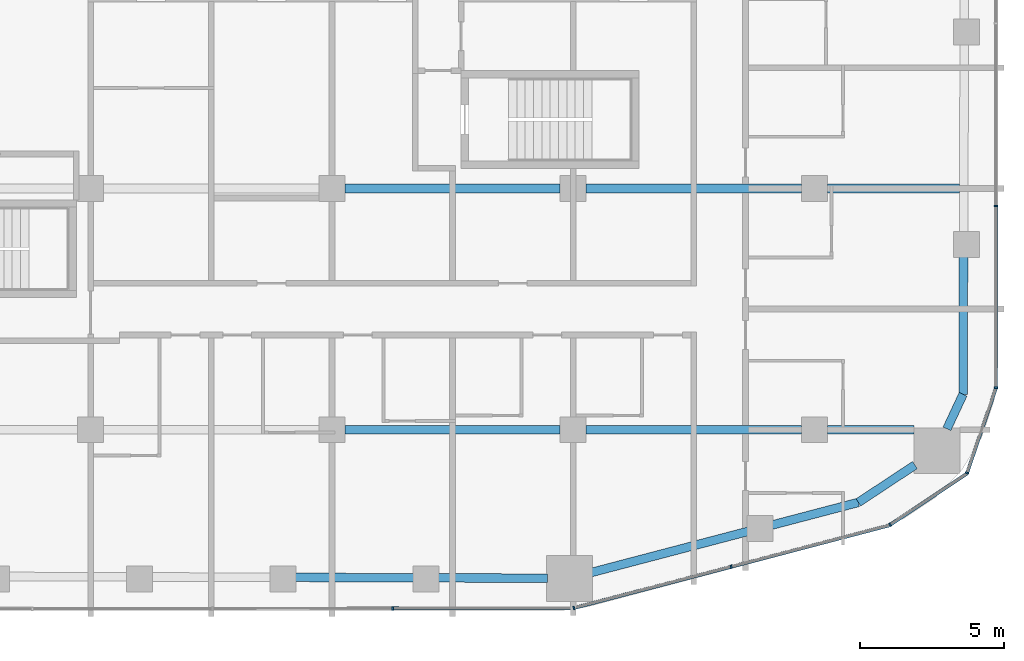
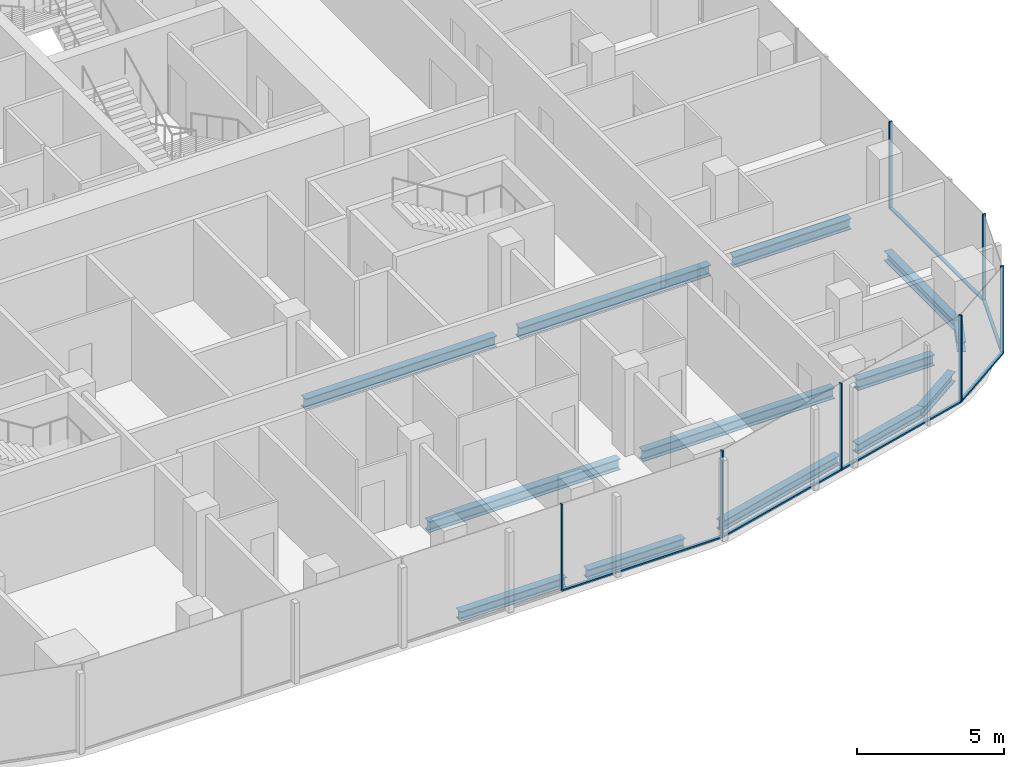
# One storey, part 6 of 23: 13 beams, 13 members, 5 elements without a shape of their own.
"""IFC4 building model written with IfcOpenShell, lengths in metres."""

from ifc_helpers import new_model, si_unit, direction, frame, origin, origin_2d, place, context, subcontext, project, spatial, rectangle, i_section, extrude, material, layer, layer_set, material_profile, profile_set, type_object, element, aggregate, save


model = new_model("IFC4")

# Units and contexts
model_context = context("Model", 3, precision=1e-05, world=origin(), true_north=direction((0.0, 1.0)))
body_context = subcontext(model_context, "Body", "Model", "MODEL_VIEW")
ifc_project = project(units=[si_unit("LENGTHUNIT", "METRE"), si_unit("AREAUNIT", "SQUARE_METRE"), si_unit("VOLUMEUNIT", "CUBIC_METRE"), si_unit("PLANEANGLEUNIT", "RADIAN"), si_unit("MASSUNIT", "GRAM", prefix="KILO")], contexts=[model_context])

# Site, building, storey
site_placement = place(None, origin())
site = spatial("IfcSite", under=ifc_project, at=site_placement, CompositionType="ELEMENT")
building_placement = place(site_placement, origin())
building = spatial("IfcBuilding", under=site, at=building_placement, Name="Marenta Gate Hotel Tower", CompositionType="ELEMENT")
storey_placement = place(building_placement, frame((0.0, 0.0, 140.89990234375)))
storey = spatial("IfcBuildingStorey", under=building, at=storey_placement, Name="L32", CompositionType="ELEMENT", Elevation=140.89990234375)

# Beams
ifc_material_1 = material(Name="Steel S355", Category="steel")
ifc_material_profile_1 = material_profile(ifc_material_1, i_section(OverallWidth=0.300048828125, OverallDepth=0.39990234375, WebThickness=0.013427734375, FlangeThickness=0.02392578125, FilletRadius=0.027099609375, at=origin_2d()), Name="HEB 400")
ifc_profile_set_1 = profile_set([ifc_material_profile_1], Name="Steel S355")
beam_type_1 = type_object("IfcBeamType", Name="Edge beam HEB 400", PredefinedType="SPANDREL", material=ifc_profile_set_1)
beam_1_placement = place(storey_placement, frame((26.191162109375, -10.761962890625, -0.4599609375), z_axis=(-0.003353298899, -0.999994377677, 0.0), x_axis=(0.999994377677, -0.003353298899, 0.0)))
element("IfcBeam", 1, at=beam_1_placement, inside=storey, type_object=beam_type_1, Name="L32-EB-27", PredefinedType="SPANDREL", context=body_context, shape_type="SweptSolid", body=[
    extrude(i_section(OverallWidth=0.300048828125, OverallDepth=0.39990234375, WebThickness=0.013427734375, FlangeThickness=0.02392578125, FilletRadius=0.027099609375, at=origin_2d()), origin(), (0.0, 0.0, 1.0), 4.80517578125),
])
beam_2_placement = place(storey_placement, frame((26.175048828125, -15.567138671875, -0.4599609375), z_axis=(-0.423207780269, -0.906032656541, 0.0), x_axis=(0.906032656541, -0.423207780269, 0.0)))
element("IfcBeam", 2, at=beam_2_placement, inside=storey, type_object=beam_type_1, Name="L32-EB-28", PredefinedType="SPANDREL", context=body_context, shape_type="SweptSolid", body=[
    extrude(i_section(OverallWidth=0.300048828125, OverallDepth=0.39990234375, WebThickness=0.013427734375, FlangeThickness=0.02392578125, FilletRadius=0.027099609375, at=origin_2d()), origin(), (0.0, 0.0, 1.0), 1.326904296875),
])
beam_3_placement = place(storey_placement, frame((24.496337890625, -18.0322265625, -0.4599609375), z_axis=(-0.834496060599, -0.551013906217, 0.0), x_axis=(0.551013906217, -0.834496060599, 0.0)))
element("IfcBeam", 3, at=beam_3_placement, inside=storey, type_object=beam_type_1, Name="L32-EB-29", PredefinedType="SPANDREL", context=body_context, shape_type="SweptSolid", body=[
    extrude(i_section(OverallWidth=0.300048828125, OverallDepth=0.39990234375, WebThickness=0.013427734375, FlangeThickness=0.02392578125, FilletRadius=0.027099609375, at=origin_2d()), origin(), (0.0, 0.0, 1.0), 2.357177734375),
])
beam_4_placement = place(storey_placement, frame((22.529296875, -19.3310546875, -0.4599609375), z_axis=(-0.967224706208, -0.25392197168, 0.0), x_axis=(0.25392197168, -0.967224706208, 0.0)))
element("IfcBeam", 4, at=beam_4_placement, inside=storey, type_object=beam_type_1, Name="L32-EB-30", PredefinedType="SPANDREL", context=body_context, shape_type="SweptSolid", body=[
    extrude(i_section(OverallWidth=0.300048828125, OverallDepth=0.39990234375, WebThickness=0.013427734375, FlangeThickness=0.02392578125, FilletRadius=0.027099609375, at=origin_2d()), origin(), (0.0, 0.0, 1.0), 3.11328125),
])
beam_5_placement = place(storey_placement, frame((18.695556640625, -20.33740234375, -0.4599609375), z_axis=(-0.96723321901, -0.253889542999, 0.0), x_axis=(0.253889542999, -0.96723321901, 0.0)))
element("IfcBeam", 5, at=beam_5_placement, inside=storey, type_object=beam_type_1, Name="L32-EB-31", PredefinedType="SPANDREL", context=body_context, shape_type="SweptSolid", body=[
    extrude(i_section(OverallWidth=0.300048828125, OverallDepth=0.39990234375, WebThickness=0.013427734375, FlangeThickness=0.02392578125, FilletRadius=0.027099609375, at=origin_2d()), origin(), (0.0, 0.0, 1.0), 5.6533203125),
])
beam_6_placement = place(storey_placement, frame((11.706298828125, -21.97021484375, -0.4599609375), z_axis=(-0.999994883969, 0.003198755307, 0.0), x_axis=(-0.003198755307, -0.999994883969, 0.0)))
element("IfcBeam", 6, at=beam_6_placement, inside=storey, type_object=beam_type_1, Name="L32-EB-32", PredefinedType="SPANDREL", context=body_context, shape_type="SweptSolid", body=[
    extrude(i_section(OverallWidth=0.300048828125, OverallDepth=0.39990234375, WebThickness=0.013427734375, FlangeThickness=0.02392578125, FilletRadius=0.027099609375, at=origin_2d()), origin(), (0.0, 0.0, 1.0), 3.816162109375),
])
beam_7_placement = place(storey_placement, frame((7.070068359375, -21.955322265625, -0.4599609375), z_axis=(-0.999994807487, 0.003222576575, 0.0), x_axis=(-0.003222576575, -0.999994807487, 0.0)))
element("IfcBeam", 7, at=beam_7_placement, inside=storey, type_object=beam_type_1, Name="L32-EB-33", PredefinedType="SPANDREL", context=body_context, shape_type="SweptSolid", body=[
    extrude(i_section(OverallWidth=0.300048828125, OverallDepth=0.39990234375, WebThickness=0.013427734375, FlangeThickness=0.02392578125, FilletRadius=0.027099609375, at=origin_2d()), origin(), (0.0, 0.0, 1.0), 4.166748046875),
])
ifc_material_2 = material(Name="Steel S355", Category="steel")
ifc_material_profile_2 = material_profile(ifc_material_2, i_section(OverallWidth=0.300048828125, OverallDepth=0.449951171875, WebThickness=0.013916015625, FlangeThickness=0.02587890625, FilletRadius=0.027099609375, at=origin_2d()), Name="HEB 450")
ifc_profile_set_2 = profile_set([ifc_material_profile_2], Name="Steel S355")
beam_type_2 = type_object("IfcBeamType", Name="Girder HEB 450", PredefinedType="BEAM", material=ifc_profile_set_2)
for number, where, z_axis, x_axis, name in (
    (8, (4.64990234375, -16.800048828125, -0.48486328125), (1.0, 0.0, 0.0), (0.0, 1.0, 0.0), "L32-GD-5"),
    (9, (13.050048828125, -16.800048828125, -0.48486328125), (1.0, 0.0, 0.0), (0.0, 1.0, 0.0), "L32-GD-6"),
):
    element("IfcBeam", number, at=place(storey_placement, frame(where, z_axis=z_axis, x_axis=x_axis)), inside=storey, type_object=beam_type_2, Name=name, PredefinedType="BEAM", context=body_context, shape_type="SweptSolid", body=[
        extrude(i_section(OverallWidth=0.300048828125, OverallDepth=0.449951171875, WebThickness=0.013916015625, FlangeThickness=0.02587890625, FilletRadius=0.027099609375, at=origin_2d()), origin(), (0.0, 0.0, 1.0), 7.5),
    ])
beam_8_placement = place(storey_placement, frame((21.449951171875, -16.800048828125, -0.48486328125), z_axis=(1.0, 0.0, 0.0), x_axis=(0.0, 1.0, 0.0)))
element("IfcBeam", 10, at=beam_8_placement, inside=storey, type_object=beam_type_2, Name="L32-GD-7", PredefinedType="BEAM", context=body_context, shape_type="SweptSolid", body=[
    extrude(i_section(OverallWidth=0.300048828125, OverallDepth=0.449951171875, WebThickness=0.013916015625, FlangeThickness=0.02587890625, FilletRadius=0.027099609375, at=origin_2d()), origin(), (0.0, 0.0, 1.0), 3.012939453125),
])
for number, where, z_axis, x_axis, name in (
    (11, (4.64990234375, -8.39990234375, -0.48486328125), (1.0, 0.0, 0.0), (0.0, 1.0, 0.0), "L32-GD-12"),
    (12, (13.050048828125, -8.39990234375, -0.48486328125), (1.0, 0.0, 0.0), (0.0, 1.0, 0.0), "L32-GD-13"),
):
    element("IfcBeam", number, at=place(storey_placement, frame(where, z_axis=z_axis, x_axis=x_axis)), inside=storey, type_object=beam_type_2, Name=name, PredefinedType="BEAM", context=body_context, shape_type="SweptSolid", body=[
        extrude(i_section(OverallWidth=0.300048828125, OverallDepth=0.449951171875, WebThickness=0.013916015625, FlangeThickness=0.02587890625, FilletRadius=0.027099609375, at=origin_2d()), origin(), (0.0, 0.0, 1.0), 7.5),
    ])
beam_9_placement = place(storey_placement, frame((21.449951171875, -8.39990234375, -0.48486328125), z_axis=(1.0, 0.0, 0.0), x_axis=(0.0, 1.0, 0.0)))
element("IfcBeam", 13, at=beam_9_placement, inside=storey, type_object=beam_type_2, Name="L32-GD-14", PredefinedType="BEAM", context=body_context, shape_type="SweptSolid", body=[
    extrude(i_section(OverallWidth=0.300048828125, OverallDepth=0.449951171875, WebThickness=0.013916015625, FlangeThickness=0.02587890625, FilletRadius=0.027099609375, at=origin_2d()), origin(), (0.0, 0.0, 1.0), 4.59912109375),
])

# Curtain wall, member
ifc_material_3 = material(Name="Tinted insulated glass in bronze anodised frame", Category="glass")
ifc_layer = layer(ifc_material_3, 0.1201171875)
ifc_layer_set = layer_set([ifc_layer], Name="Tinted insulated glass in bronze anodised frame")
curtain_wall_type = type_object("IfcCurtainWallType", Name="Tower unitised curtain wall CW1", PredefinedType="NOTDEFINED", material=ifc_layer_set)
curtain_wall_1_placement = place(storey_placement, origin())
curtain_wall_1 = element("IfcCurtainWall", 14, at=curtain_wall_1_placement, inside=storey, type_object=curtain_wall_type, Name="CW1 run G07", PredefinedType="NOTDEFINED")
ifc_material_4 = material(Name="Bronze anodised aluminium", Category="aluminium")
ifc_material_profile_3 = material_profile(ifc_material_4, rectangle(XDim=0.1201171875, YDim=0.06005859375, at=origin_2d()), Name="Mullion CW1 60x120 bronze anodised aluminium")
ifc_profile_set_3 = profile_set([ifc_material_profile_3], Name="Bronze anodised aluminium")
member_type_1 = type_object("IfcMemberType", Name="Mullion CW1 60x120 bronze anodised aluminium", PredefinedType="MULLION", material=ifc_profile_set_3)
member_1_placement = place(storey_placement, frame((6.32177734375, -23.021728515625, 0.0), z_axis=(0.0, 0.0, 1.0), x_axis=(-0.001362347707, 0.999999072004, 0.0)))
member_1 = element("IfcMember", 15, at=member_1_placement, type_object=member_type_1, Name="CW1 mullion 4", PredefinedType="MULLION", context=body_context, shape_type="SweptSolid", body=[
    extrude(rectangle(XDim=0.1201171875, YDim=0.06005859375, at=origin_2d()), origin(), (0.0, 0.0, 1.0), 3.60009765625),
])

# Curtain wall, members
curtain_wall_2_placement = place(storey_placement, origin())
curtain_wall_2 = element("IfcCurtainWall", 16, at=curtain_wall_2_placement, inside=storey, type_object=curtain_wall_type, Name="CW1 run G08", PredefinedType="NOTDEFINED")
member_2_placement = place(storey_placement, frame((12.626708984375, -23.005615234375, 0.0), z_axis=(0.0, 0.0, 1.0), x_axis=(-0.253374270473, 0.967368326473, 0.0)))
member_2 = element("IfcMember", 17, at=member_2_placement, type_object=member_type_1, Name="CW1 mullion 1", PredefinedType="MULLION", context=body_context, shape_type="SweptSolid", body=[
    extrude(rectangle(XDim=0.1201171875, YDim=0.06005859375, at=origin_2d()), origin(), (0.0, 0.0, 1.0), 3.60009765625),
])
member_3_placement = place(storey_placement, frame((18.102783203125, -21.571533203125, 0.0), z_axis=(0.0, 0.0, 1.0), x_axis=(-0.253374270473, 0.967368326473, 0.0)))
member_3 = element("IfcMember", 18, at=member_3_placement, type_object=member_type_1, Name="CW1 mullion 2", PredefinedType="MULLION", context=body_context, shape_type="SweptSolid", body=[
    extrude(rectangle(XDim=0.1201171875, YDim=0.06005859375, at=origin_2d()), origin(), (0.0, 0.0, 1.0), 3.60009765625),
])

# Curtain wall, member
curtain_wall_3_placement = place(storey_placement, origin())
curtain_wall_3 = element("IfcCurtainWall", 19, at=curtain_wall_3_placement, inside=storey, type_object=curtain_wall_type, Name="CW1 run G09", PredefinedType="NOTDEFINED")
member_4_placement = place(storey_placement, frame((23.632568359375, -20.113037109375, 0.0), z_axis=(0.0, 0.0, 1.0), x_axis=(-0.554016243423, 0.832505857051, 0.0)))
member_4 = element("IfcMember", 20, at=member_4_placement, type_object=member_type_1, Name="CW1 mullion 1", PredefinedType="MULLION", context=body_context, shape_type="SweptSolid", body=[
    extrude(rectangle(XDim=0.1201171875, YDim=0.06005859375, at=origin_2d()), origin(), (0.0, 0.0, 1.0), 3.60009765625),
])

curtain_wall_4_placement = place(storey_placement, origin())
curtain_wall_4 = element("IfcCurtainWall", 21, at=curtain_wall_4_placement, inside=storey, type_object=curtain_wall_type, Name="CW1 run G10", PredefinedType="NOTDEFINED")
member_5_placement = place(storey_placement, frame((26.314453125, -18.30615234375, 0.0), z_axis=(0.0, 0.0, 1.0), x_axis=(-0.946728385013, 0.322033173773, 0.0)))
member_5 = element("IfcMember", 22, at=member_5_placement, type_object=member_type_1, Name="CW1 mullion 1", PredefinedType="MULLION", context=body_context, shape_type="SweptSolid", body=[
    extrude(rectangle(XDim=0.1201171875, YDim=0.06005859375, at=origin_2d()), origin(), (0.0, 0.0, 1.0), 3.60009765625),
])

# Curtain wall, members
curtain_wall_5_placement = place(storey_placement, origin())
curtain_wall_5 = element("IfcCurtainWall", 23, at=curtain_wall_5_placement, inside=storey, type_object=curtain_wall_type, Name="CW1 run G11", PredefinedType="NOTDEFINED")
member_6_placement = place(storey_placement, frame((27.31396484375, -15.337890625, 0.0), z_axis=(0.0, 0.0, 1.0), x_axis=(-1.0, 0.0, 0.0)))
member_6 = element("IfcMember", 24, at=member_6_placement, type_object=member_type_1, Name="CW1 mullion 1", PredefinedType="MULLION", context=body_context, shape_type="SweptSolid", body=[
    extrude(rectangle(XDim=0.1201171875, YDim=0.06005859375, at=origin_2d()), origin(), (0.0, 0.0, 1.0), 3.60009765625),
])
member_7_placement = place(storey_placement, frame((27.31396484375, -9.008056640625, 0.0), z_axis=(0.0, 0.0, 1.0), x_axis=(-1.0, 0.0, 0.0)))
member_7 = element("IfcMember", 25, at=member_7_placement, type_object=member_type_1, Name="CW1 mullion 2", PredefinedType="MULLION", context=body_context, shape_type="SweptSolid", body=[
    extrude(rectangle(XDim=0.1201171875, YDim=0.06005859375, at=origin_2d()), origin(), (0.0, 0.0, 1.0), 3.60009765625),
])

# Member
ifc_material_5 = material(Name="Bronze anodised aluminium", Category="aluminium")
ifc_material_profile_4 = material_profile(ifc_material_5, rectangle(XDim=0.1201171875, YDim=0.06005859375, at=origin_2d()), Name="Transom CW1 60x120 bronze anodised aluminium")
ifc_profile_set_4 = profile_set([ifc_material_profile_4], Name="Bronze anodised aluminium")
member_type_2 = type_object("IfcMemberType", Name="Transom CW1 60x120 bronze anodised aluminium", PredefinedType="USERDEFINED", material=ifc_profile_set_4)
member_8_placement = place(storey_placement, frame((6.351806640625, -23.021728515625, 0.030029296875), z_axis=(0.999999064231, 0.001368041246, 0.0), x_axis=(-0.001368041246, 0.999999064231, 0.0)))
member_8 = element("IfcMember", 26, at=member_8_placement, type_object=member_type_2, Name="CW1 transom 4.1", ObjectType="TRANSOM", PredefinedType="USERDEFINED", context=body_context, shape_type="SweptSolid", body=[
    extrude(rectangle(XDim=0.1201171875, YDim=0.06005859375, at=origin_2d()), origin(), (0.0, 0.0, 1.0), 6.24609375),
])

aggregate(curtain_wall_1, [member_1, member_8])

member_9_placement = place(storey_placement, frame((12.65576171875, -22.998046875, 0.030029296875), z_axis=(0.967374258372, 0.25335162174, 0.0), x_axis=(-0.25335162174, 0.967374258372, 0.0)))
member_9 = element("IfcMember", 27, at=member_9_placement, type_object=member_type_2, Name="CW1 transom 1.1", ObjectType="TRANSOM", PredefinedType="USERDEFINED", context=body_context, shape_type="SweptSolid", body=[
    extrude(rectangle(XDim=0.1201171875, YDim=0.06005859375, at=origin_2d()), origin(), (0.0, 0.0, 1.0), 5.6005859375),
])

member_10_placement = place(storey_placement, frame((18.1318359375, -21.56396484375, 0.030029296875), z_axis=(0.967364420611, 0.253389182357, 0.0), x_axis=(-0.253389182357, 0.967364420611, 0.0)))
member_10 = element("IfcMember", 28, at=member_10_placement, type_object=member_type_2, Name="CW1 transom 2.1", ObjectType="TRANSOM", PredefinedType="USERDEFINED", context=body_context, shape_type="SweptSolid", body=[
    extrude(rectangle(XDim=0.1201171875, YDim=0.06005859375, at=origin_2d()), origin(), (0.0, 0.0, 1.0), 5.66064453125),
])

aggregate(curtain_wall_2, [member_2, member_3, member_9, member_10])

member_11_placement = place(storey_placement, frame((23.657470703125, -20.096435546875, 0.030029296875), z_axis=(0.832522439521, 0.553991324565, 0.0), x_axis=(-0.553991324565, 0.832522439521, 0.0)))
member_11 = element("IfcMember", 29, at=member_11_placement, type_object=member_type_2, Name="CW1 transom 1.1", ObjectType="TRANSOM", PredefinedType="USERDEFINED", context=body_context, shape_type="SweptSolid", body=[
    extrude(rectangle(XDim=0.1201171875, YDim=0.06005859375, at=origin_2d()), origin(), (0.0, 0.0, 1.0), 3.179931640625),
])

aggregate(curtain_wall_3, [member_4, member_11])

member_12_placement = place(storey_placement, frame((26.32421875, -18.27783203125, 0.030029296875), z_axis=(0.322012379162, 0.946735458123, 0.0), x_axis=(-0.946735458123, 0.322012379162, 0.0)))
member_12 = element("IfcMember", 30, at=member_12_placement, type_object=member_type_2, Name="CW1 transom 1.1", ObjectType="TRANSOM", PredefinedType="USERDEFINED", context=body_context, shape_type="SweptSolid", body=[
    extrude(rectangle(XDim=0.1201171875, YDim=0.06005859375, at=origin_2d()), origin(), (0.0, 0.0, 1.0), 3.07373046875),
])

aggregate(curtain_wall_4, [member_5, member_12])

member_13_placement = place(storey_placement, frame((27.31396484375, -15.30810546875, 0.030029296875), z_axis=(0.0, 1.0, 0.0), x_axis=(-1.0, 0.0, 0.0)))
member_13 = element("IfcMember", 31, at=member_13_placement, type_object=member_type_2, Name="CW1 transom 1.1", ObjectType="TRANSOM", PredefinedType="USERDEFINED", context=body_context, shape_type="SweptSolid", body=[
    extrude(rectangle(XDim=0.1201171875, YDim=0.06005859375, at=origin_2d()), origin(), (0.0, 0.0, 1.0), 6.27001953125),
])

aggregate(curtain_wall_5, [member_6, member_7, member_13])

save(model, "model.ifc")
